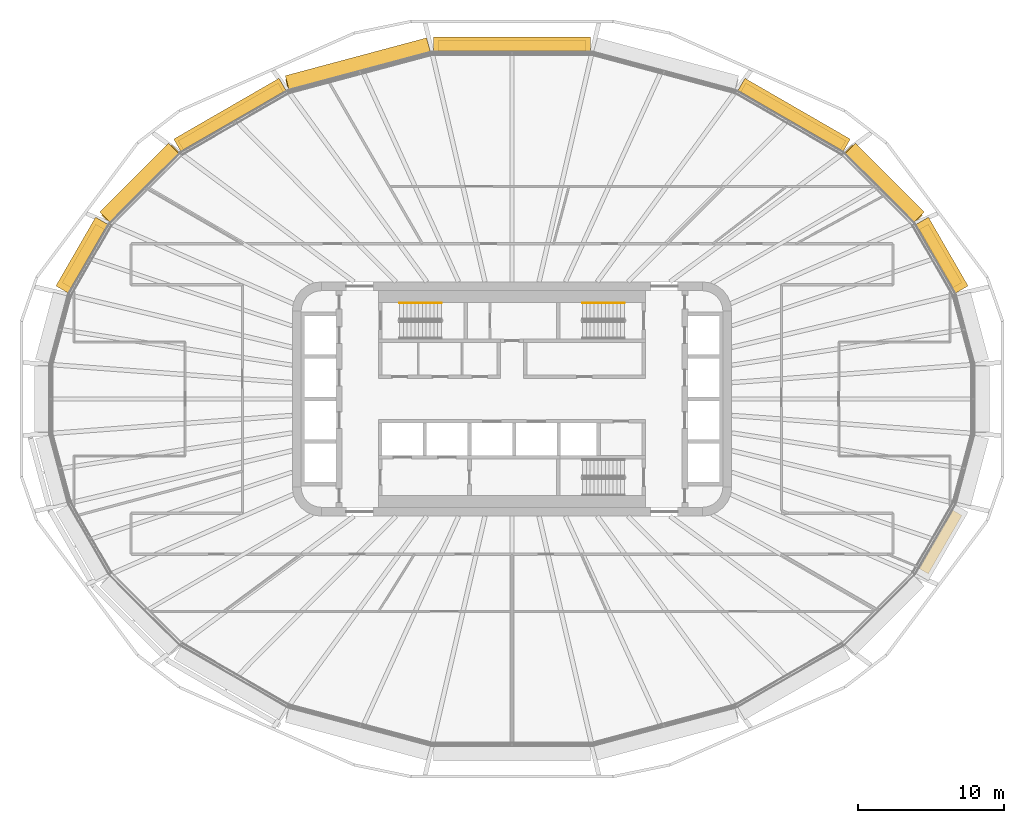
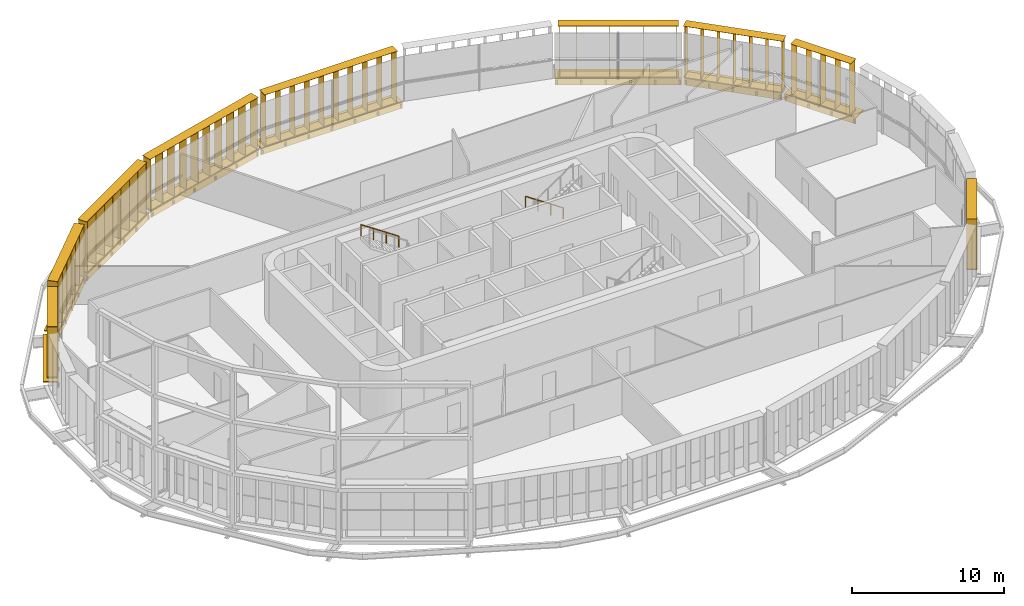
# One storey, part 24 of 25: 17 shading devices, 2 railings.
"""IFC4 building model written with IfcOpenShell, lengths in metres."""

from ifc_helpers import new_model, si_unit, direction, frame, origin, origin_2d, place, context, subcontext, project, spatial, rectangle, circle, extrude, material, type_object, element, save


model = new_model("IFC4")

# Units and contexts
model_context = context("Model", 3, precision=1e-05, world=origin(), true_north=direction((0.0, 1.0)))
body_context = subcontext(model_context, "Body", "Model", "MODEL_VIEW")
ifc_project = project(units=[si_unit("LENGTHUNIT", "METRE"), si_unit("AREAUNIT", "SQUARE_METRE"), si_unit("VOLUMEUNIT", "CUBIC_METRE"), si_unit("PLANEANGLEUNIT", "RADIAN"), si_unit("MASSUNIT", "GRAM", prefix="KILO")], contexts=[model_context])

# Site, building, storey
site_placement = place(None, origin())
site = spatial("IfcSite", under=ifc_project, at=site_placement, CompositionType="ELEMENT")
building_placement = place(site_placement, origin())
building = spatial("IfcBuilding", under=site, at=building_placement, Name="Sahrelin Media Tower", CompositionType="ELEMENT")
storey_placement = place(building_placement, frame((0.0, 0.0, 135.60009765625)))
storey = spatial("IfcBuildingStorey", under=building, at=storey_placement, Name="L27", CompositionType="ELEMENT", Elevation=135.60009765625)

# Shading devices
ifc_material_1 = material(Name="Champagne anodised aluminium 6063-T6", Category="aluminium")
shading_device_type_1 = type_object("IfcShadingDeviceType", Name="Fin cassette", PredefinedType="USERDEFINED", material=ifc_material_1)
placement_1 = place(storey_placement, frame((28.8984375, 9.5546875, 0.0), z_axis=(0.0, 0.0, 1.0), x_axis=(0.500011000363, -0.866019052629, 0.0)))
element("IfcShadingDevice", 1, at=placement_1, inside=storey, type_object=shading_device_type_1, Name="L27:FIN:L27-02", ObjectType="FIN", PredefinedType="USERDEFINED", context=body_context, shape_type="SweptSolid", body=[
    extrude(rectangle(XDim=4.60009765625, YDim=0.699951171875, at=origin_2d()), frame((0.0, 0.419921875, 0.0)), (0.0, 0.0, 1.0), 0.02001953125),
    extrude(rectangle(XDim=4.60009765625, YDim=0.699951171875, at=origin_2d()), frame((0.0, 0.419921875, 4.10009765625)), (0.0, 0.0, 1.0), 0.02001953125),
    extrude(rectangle(XDim=0.02001953125, YDim=0.699951171875, at=origin_2d()), frame((-2.199951171875, 0.419921875, 0.010009765625), z_axis=(0.0, 0.0, 1.0), x_axis=(1.0, 0.0, 0.0)), (0.0, 0.0, 1.0), 4.10009765625),
    extrude(rectangle(XDim=0.02001953125, YDim=0.699951171875, at=origin_2d()), frame((-1.10009765625, 0.419921875, 0.010009765625), z_axis=(0.0, 0.0, 1.0), x_axis=(1.0, 0.0, 0.0)), (0.0, 0.0, 1.0), 4.10009765625),
    extrude(rectangle(XDim=0.02001953125, YDim=0.699951171875, at=origin_2d()), frame((0.0, 0.419921875, 0.010009765625), z_axis=(0.0, 0.0, 1.0), x_axis=(1.0, 0.0, 0.0)), (0.0, 0.0, 1.0), 4.10009765625),
    extrude(rectangle(XDim=0.02001953125, YDim=0.699951171875, at=origin_2d()), frame((1.10009765625, 0.419921875, 0.010009765625), z_axis=(0.0, 0.0, 1.0), x_axis=(1.0, 0.0, 0.0)), (0.0, 0.0, 1.0), 4.10009765625),
    extrude(rectangle(XDim=0.02001953125, YDim=0.699951171875, at=origin_2d()), frame((2.199951171875, 0.419921875, 0.010009765625), z_axis=(0.0, 0.0, 1.0), x_axis=(1.0, 0.0, 0.0)), (0.0, 0.0, 1.0), 4.10009765625),
])
placement_2 = place(storey_placement, frame((25.08349609375, 14.39697265625, 0.0), z_axis=(0.0, 0.0, 1.0), x_axis=(0.707106781187, -0.707106781187, 0.0)))
element("IfcShadingDevice", 2, at=placement_2, inside=storey, type_object=shading_device_type_1, Name="L27:FIN:L27-03", ObjectType="FIN", PredefinedType="USERDEFINED", context=body_context, shape_type="SweptSolid", body=[
    extrude(rectangle(XDim=6.800048828125, YDim=0.699951171875, at=origin_2d()), frame((0.0, 0.419921875, 0.0)), (0.0, 0.0, 1.0), 0.02001953125),
    extrude(rectangle(XDim=6.800048828125, YDim=0.699951171875, at=origin_2d()), frame((0.0, 0.419921875, 4.10009765625)), (0.0, 0.0, 1.0), 0.02001953125),
    extrude(rectangle(XDim=0.02001953125, YDim=0.699951171875, at=origin_2d()), frame((-3.300048828125, 0.419921875, 0.010009765625), z_axis=(0.0, 0.0, 1.0), x_axis=(1.0, 0.0, 0.0)), (0.0, 0.0, 1.0), 4.10009765625),
    extrude(rectangle(XDim=0.02001953125, YDim=0.699951171875, at=origin_2d()), frame((-2.199951171875, 0.419921875, 0.010009765625), z_axis=(0.0, 0.0, 1.0), x_axis=(1.0, 0.0, 0.0)), (0.0, 0.0, 1.0), 4.10009765625),
    extrude(rectangle(XDim=0.02001953125, YDim=0.699951171875, at=origin_2d()), frame((-1.10009765625, 0.419921875, 0.010009765625), z_axis=(0.0, 0.0, 1.0), x_axis=(1.0, 0.0, 0.0)), (0.0, 0.0, 1.0), 4.10009765625),
    extrude(rectangle(XDim=0.02001953125, YDim=0.699951171875, at=origin_2d()), frame((0.0, 0.419921875, 0.010009765625), z_axis=(0.0, 0.0, 1.0), x_axis=(1.0, 0.0, 0.0)), (0.0, 0.0, 1.0), 4.10009765625),
    extrude(rectangle(XDim=0.02001953125, YDim=0.699951171875, at=origin_2d()), frame((1.10009765625, 0.419921875, 0.010009765625), z_axis=(0.0, 0.0, 1.0), x_axis=(1.0, 0.0, 0.0)), (0.0, 0.0, 1.0), 4.10009765625),
    extrude(rectangle(XDim=0.02001953125, YDim=0.699951171875, at=origin_2d()), frame((2.199951171875, 0.419921875, 0.010009765625), z_axis=(0.0, 0.0, 1.0), x_axis=(1.0, 0.0, 0.0)), (0.0, 0.0, 1.0), 4.10009765625),
    extrude(rectangle(XDim=0.02001953125, YDim=0.699951171875, at=origin_2d()), frame((3.300048828125, 0.419921875, 0.010009765625), z_axis=(0.0, 0.0, 1.0), x_axis=(1.0, 0.0, 0.0)), (0.0, 0.0, 1.0), 4.10009765625),
])
placement_3 = place(storey_placement, frame((18.990966796875, 18.93359375, 0.0), z_axis=(0.0, 0.0, 1.0), x_axis=(0.866019052629, -0.500011000363, 0.0)))
element("IfcShadingDevice", 3, at=placement_3, inside=storey, type_object=shading_device_type_1, Name="L27:FIN:L27-04", ObjectType="FIN", PredefinedType="USERDEFINED", context=body_context, shape_type="SweptSolid", body=[
    extrude(rectangle(XDim=7.89990234375, YDim=0.699951171875, at=origin_2d()), frame((0.0, 0.419921875, 0.0)), (0.0, 0.0, 1.0), 0.02001953125),
    extrude(rectangle(XDim=7.89990234375, YDim=0.699951171875, at=origin_2d()), frame((0.0, 0.419921875, 4.10009765625)), (0.0, 0.0, 1.0), 0.02001953125),
    extrude(rectangle(XDim=0.02001953125, YDim=0.699951171875, at=origin_2d()), frame((-3.85009765625, 0.419921875, 0.010009765625), z_axis=(0.0, 0.0, 1.0), x_axis=(1.0, 0.0, 0.0)), (0.0, 0.0, 1.0), 4.10009765625),
    extrude(rectangle(XDim=0.02001953125, YDim=0.699951171875, at=origin_2d()), frame((-2.75, 0.419921875, 0.010009765625), z_axis=(0.0, 0.0, 1.0), x_axis=(1.0, 0.0, 0.0)), (0.0, 0.0, 1.0), 4.10009765625),
    extrude(rectangle(XDim=0.02001953125, YDim=0.699951171875, at=origin_2d()), frame((-1.64990234375, 0.419921875, 0.010009765625), z_axis=(0.0, 0.0, 1.0), x_axis=(1.0, 0.0, 0.0)), (0.0, 0.0, 1.0), 4.10009765625),
    extrude(rectangle(XDim=0.02001953125, YDim=0.699951171875, at=origin_2d()), frame((-0.550048828125, 0.419921875, 0.010009765625), z_axis=(0.0, 0.0, 1.0), x_axis=(1.0, 0.0, 0.0)), (0.0, 0.0, 1.0), 4.10009765625),
    extrude(rectangle(XDim=0.02001953125, YDim=0.699951171875, at=origin_2d()), frame((0.550048828125, 0.419921875, 0.010009765625), z_axis=(0.0, 0.0, 1.0), x_axis=(1.0, 0.0, 0.0)), (0.0, 0.0, 1.0), 4.10009765625),
    extrude(rectangle(XDim=0.02001953125, YDim=0.699951171875, at=origin_2d()), frame((1.64990234375, 0.419921875, 0.010009765625), z_axis=(0.0, 0.0, 1.0), x_axis=(1.0, 0.0, 0.0)), (0.0, 0.0, 1.0), 4.10009765625),
    extrude(rectangle(XDim=0.02001953125, YDim=0.699951171875, at=origin_2d()), frame((2.75, 0.419921875, 0.010009765625), z_axis=(0.0, 0.0, 1.0), x_axis=(1.0, 0.0, 0.0)), (0.0, 0.0, 1.0), 4.10009765625),
    extrude(rectangle(XDim=0.02001953125, YDim=0.699951171875, at=origin_2d()), frame((3.85009765625, 0.419921875, 0.010009765625), z_axis=(0.0, 0.0, 1.0), x_axis=(1.0, 0.0, 0.0)), (0.0, 0.0, 1.0), 4.10009765625),
])
placement_4 = place(storey_placement, frame((0.0, 23.69580078125, 0.0), z_axis=(0.0, 0.0, 1.0), x_axis=(1.0, 0.0, 0.0)))
element("IfcShadingDevice", 4, at=placement_4, inside=storey, type_object=shading_device_type_1, Name="L27:FIN:L27-06", ObjectType="FIN", PredefinedType="USERDEFINED", context=body_context, shape_type="SweptSolid", body=[
    extrude(rectangle(XDim=10.10009765625, YDim=0.699951171875, at=origin_2d()), frame((0.0, 0.419921875, 0.0)), (0.0, 0.0, 1.0), 0.02001953125),
    extrude(rectangle(XDim=10.10009765625, YDim=0.699951171875, at=origin_2d()), frame((0.0, 0.419921875, 4.10009765625)), (0.0, 0.0, 1.0), 0.02001953125),
    extrude(rectangle(XDim=0.02001953125, YDim=0.699951171875, at=origin_2d()), frame((-4.949951171875, 0.419921875, 0.010009765625), z_axis=(0.0, 0.0, 1.0), x_axis=(1.0, 0.0, 0.0)), (0.0, 0.0, 1.0), 4.10009765625),
    extrude(rectangle(XDim=0.02001953125, YDim=0.699951171875, at=origin_2d()), frame((-3.85009765625, 0.419921875, 0.010009765625), z_axis=(0.0, 0.0, 1.0), x_axis=(1.0, 0.0, 0.0)), (0.0, 0.0, 1.0), 4.10009765625),
    extrude(rectangle(XDim=0.02001953125, YDim=0.699951171875, at=origin_2d()), frame((-2.75, 0.419921875, 0.010009765625), z_axis=(0.0, 0.0, 1.0), x_axis=(1.0, 0.0, 0.0)), (0.0, 0.0, 1.0), 4.10009765625),
    extrude(rectangle(XDim=0.02001953125, YDim=0.699951171875, at=origin_2d()), frame((-1.64990234375, 0.419921875, 0.010009765625), z_axis=(0.0, 0.0, 1.0), x_axis=(1.0, 0.0, 0.0)), (0.0, 0.0, 1.0), 4.10009765625),
    extrude(rectangle(XDim=0.02001953125, YDim=0.699951171875, at=origin_2d()), frame((-0.550048828125, 0.419921875, 0.010009765625), z_axis=(0.0, 0.0, 1.0), x_axis=(1.0, 0.0, 0.0)), (0.0, 0.0, 1.0), 4.10009765625),
    extrude(rectangle(XDim=0.02001953125, YDim=0.699951171875, at=origin_2d()), frame((0.550048828125, 0.419921875, 0.010009765625), z_axis=(0.0, 0.0, 1.0), x_axis=(1.0, 0.0, 0.0)), (0.0, 0.0, 1.0), 4.10009765625),
    extrude(rectangle(XDim=0.02001953125, YDim=0.699951171875, at=origin_2d()), frame((1.64990234375, 0.419921875, 0.010009765625), z_axis=(0.0, 0.0, 1.0), x_axis=(1.0, 0.0, 0.0)), (0.0, 0.0, 1.0), 4.10009765625),
    extrude(rectangle(XDim=0.02001953125, YDim=0.699951171875, at=origin_2d()), frame((2.75, 0.419921875, 0.010009765625), z_axis=(0.0, 0.0, 1.0), x_axis=(1.0, 0.0, 0.0)), (0.0, 0.0, 1.0), 4.10009765625),
    extrude(rectangle(XDim=0.02001953125, YDim=0.699951171875, at=origin_2d()), frame((3.85009765625, 0.419921875, 0.010009765625), z_axis=(0.0, 0.0, 1.0), x_axis=(1.0, 0.0, 0.0)), (0.0, 0.0, 1.0), 4.10009765625),
    extrude(rectangle(XDim=0.02001953125, YDim=0.699951171875, at=origin_2d()), frame((4.949951171875, 0.419921875, 0.010009765625), z_axis=(0.0, 0.0, 1.0), x_axis=(1.0, 0.0, 0.0)), (0.0, 0.0, 1.0), 4.10009765625),
])
placement_5 = place(storey_placement, frame((-10.389404296875, 22.377197265625, 0.0), z_axis=(0.0, 0.0, 1.0), x_axis=(0.965928857556, 0.258807731996, 0.0)))
element("IfcShadingDevice", 5, at=placement_5, inside=storey, type_object=shading_device_type_1, Name="L27:FIN:L27-07", ObjectType="FIN", PredefinedType="USERDEFINED", context=body_context, shape_type="SweptSolid", body=[
    extrude(rectangle(XDim=10.10009765625, YDim=0.699951171875, at=origin_2d()), frame((0.0, 0.419921875, 0.0)), (0.0, 0.0, 1.0), 0.02001953125),
    extrude(rectangle(XDim=10.10009765625, YDim=0.699951171875, at=origin_2d()), frame((0.0, 0.419921875, 4.10009765625)), (0.0, 0.0, 1.0), 0.02001953125),
    extrude(rectangle(XDim=0.02001953125, YDim=0.699951171875, at=origin_2d()), frame((-4.949951171875, 0.419921875, 0.010009765625), z_axis=(0.0, 0.0, 1.0), x_axis=(1.0, 0.0, 0.0)), (0.0, 0.0, 1.0), 4.10009765625),
    extrude(rectangle(XDim=0.02001953125, YDim=0.699951171875, at=origin_2d()), frame((-3.85009765625, 0.419921875, 0.010009765625), z_axis=(0.0, 0.0, 1.0), x_axis=(1.0, 0.0, 0.0)), (0.0, 0.0, 1.0), 4.10009765625),
    extrude(rectangle(XDim=0.02001953125, YDim=0.699951171875, at=origin_2d()), frame((-2.75, 0.419921875, 0.010009765625), z_axis=(0.0, 0.0, 1.0), x_axis=(1.0, 0.0, 0.0)), (0.0, 0.0, 1.0), 4.10009765625),
    extrude(rectangle(XDim=0.02001953125, YDim=0.699951171875, at=origin_2d()), frame((-1.64990234375, 0.419921875, 0.010009765625), z_axis=(0.0, 0.0, 1.0), x_axis=(1.0, 0.0, 0.0)), (0.0, 0.0, 1.0), 4.10009765625),
    extrude(rectangle(XDim=0.02001953125, YDim=0.699951171875, at=origin_2d()), frame((-0.550048828125, 0.419921875, 0.010009765625), z_axis=(0.0, 0.0, 1.0), x_axis=(1.0, 0.0, 0.0)), (0.0, 0.0, 1.0), 4.10009765625),
    extrude(rectangle(XDim=0.02001953125, YDim=0.699951171875, at=origin_2d()), frame((0.550048828125, 0.419921875, 0.010009765625), z_axis=(0.0, 0.0, 1.0), x_axis=(1.0, 0.0, 0.0)), (0.0, 0.0, 1.0), 4.10009765625),
    extrude(rectangle(XDim=0.02001953125, YDim=0.699951171875, at=origin_2d()), frame((1.64990234375, 0.419921875, 0.010009765625), z_axis=(0.0, 0.0, 1.0), x_axis=(1.0, 0.0, 0.0)), (0.0, 0.0, 1.0), 4.10009765625),
    extrude(rectangle(XDim=0.02001953125, YDim=0.699951171875, at=origin_2d()), frame((2.75, 0.419921875, 0.010009765625), z_axis=(0.0, 0.0, 1.0), x_axis=(1.0, 0.0, 0.0)), (0.0, 0.0, 1.0), 4.10009765625),
    extrude(rectangle(XDim=0.02001953125, YDim=0.699951171875, at=origin_2d()), frame((3.85009765625, 0.419921875, 0.010009765625), z_axis=(0.0, 0.0, 1.0), x_axis=(1.0, 0.0, 0.0)), (0.0, 0.0, 1.0), 4.10009765625),
    extrude(rectangle(XDim=0.02001953125, YDim=0.699951171875, at=origin_2d()), frame((4.949951171875, 0.419921875, 0.010009765625), z_axis=(0.0, 0.0, 1.0), x_axis=(1.0, 0.0, 0.0)), (0.0, 0.0, 1.0), 4.10009765625),
])
placement_6 = place(storey_placement, frame((-18.990966796875, 18.93359375, 0.0), z_axis=(0.0, 0.0, 1.0), x_axis=(0.866019052629, 0.500011000363, 0.0)))
element("IfcShadingDevice", 6, at=placement_6, inside=storey, type_object=shading_device_type_1, Name="L27:FIN:L27-08", ObjectType="FIN", PredefinedType="USERDEFINED", context=body_context, shape_type="SweptSolid", body=[
    extrude(rectangle(XDim=7.89990234375, YDim=0.699951171875, at=origin_2d()), frame((0.0, 0.419921875, 0.0)), (0.0, 0.0, 1.0), 0.02001953125),
    extrude(rectangle(XDim=7.89990234375, YDim=0.699951171875, at=origin_2d()), frame((0.0, 0.419921875, 4.10009765625)), (0.0, 0.0, 1.0), 0.02001953125),
    extrude(rectangle(XDim=0.02001953125, YDim=0.699951171875, at=origin_2d()), frame((-3.85009765625, 0.419921875, 0.010009765625), z_axis=(0.0, 0.0, 1.0), x_axis=(1.0, 0.0, 0.0)), (0.0, 0.0, 1.0), 4.10009765625),
    extrude(rectangle(XDim=0.02001953125, YDim=0.699951171875, at=origin_2d()), frame((-2.75, 0.419921875, 0.010009765625), z_axis=(0.0, 0.0, 1.0), x_axis=(1.0, 0.0, 0.0)), (0.0, 0.0, 1.0), 4.10009765625),
    extrude(rectangle(XDim=0.02001953125, YDim=0.699951171875, at=origin_2d()), frame((-1.64990234375, 0.419921875, 0.010009765625), z_axis=(0.0, 0.0, 1.0), x_axis=(1.0, 0.0, 0.0)), (0.0, 0.0, 1.0), 4.10009765625),
    extrude(rectangle(XDim=0.02001953125, YDim=0.699951171875, at=origin_2d()), frame((-0.550048828125, 0.419921875, 0.010009765625), z_axis=(0.0, 0.0, 1.0), x_axis=(1.0, 0.0, 0.0)), (0.0, 0.0, 1.0), 4.10009765625),
    extrude(rectangle(XDim=0.02001953125, YDim=0.699951171875, at=origin_2d()), frame((0.550048828125, 0.419921875, 0.010009765625), z_axis=(0.0, 0.0, 1.0), x_axis=(1.0, 0.0, 0.0)), (0.0, 0.0, 1.0), 4.10009765625),
    extrude(rectangle(XDim=0.02001953125, YDim=0.699951171875, at=origin_2d()), frame((1.64990234375, 0.419921875, 0.010009765625), z_axis=(0.0, 0.0, 1.0), x_axis=(1.0, 0.0, 0.0)), (0.0, 0.0, 1.0), 4.10009765625),
    extrude(rectangle(XDim=0.02001953125, YDim=0.699951171875, at=origin_2d()), frame((2.75, 0.419921875, 0.010009765625), z_axis=(0.0, 0.0, 1.0), x_axis=(1.0, 0.0, 0.0)), (0.0, 0.0, 1.0), 4.10009765625),
    extrude(rectangle(XDim=0.02001953125, YDim=0.699951171875, at=origin_2d()), frame((3.85009765625, 0.419921875, 0.010009765625), z_axis=(0.0, 0.0, 1.0), x_axis=(1.0, 0.0, 0.0)), (0.0, 0.0, 1.0), 4.10009765625),
])
placement_7 = place(storey_placement, frame((-25.08349609375, 14.396728515625, 0.0), z_axis=(0.0, 0.0, 1.0), x_axis=(0.707106781187, 0.707106781187, 0.0)))
element("IfcShadingDevice", 7, at=placement_7, inside=storey, type_object=shading_device_type_1, Name="L27:FIN:L27-09", ObjectType="FIN", PredefinedType="USERDEFINED", context=body_context, shape_type="SweptSolid", body=[
    extrude(rectangle(XDim=6.800048828125, YDim=0.699951171875, at=origin_2d()), frame((0.0, 0.419921875, 0.0)), (0.0, 0.0, 1.0), 0.02001953125),
    extrude(rectangle(XDim=6.800048828125, YDim=0.699951171875, at=origin_2d()), frame((0.0, 0.419921875, 4.10009765625)), (0.0, 0.0, 1.0), 0.02001953125),
    extrude(rectangle(XDim=0.02001953125, YDim=0.699951171875, at=origin_2d()), frame((-3.300048828125, 0.419921875, 0.010009765625), z_axis=(0.0, 0.0, 1.0), x_axis=(1.0, 0.0, 0.0)), (0.0, 0.0, 1.0), 4.10009765625),
    extrude(rectangle(XDim=0.02001953125, YDim=0.699951171875, at=origin_2d()), frame((-2.199951171875, 0.419921875, 0.010009765625), z_axis=(0.0, 0.0, 1.0), x_axis=(1.0, 0.0, 0.0)), (0.0, 0.0, 1.0), 4.10009765625),
    extrude(rectangle(XDim=0.02001953125, YDim=0.699951171875, at=origin_2d()), frame((-1.10009765625, 0.419921875, 0.010009765625), z_axis=(0.0, 0.0, 1.0), x_axis=(1.0, 0.0, 0.0)), (0.0, 0.0, 1.0), 4.10009765625),
    extrude(rectangle(XDim=0.02001953125, YDim=0.699951171875, at=origin_2d()), frame((0.0, 0.419921875, 0.010009765625), z_axis=(0.0, 0.0, 1.0), x_axis=(1.0, 0.0, 0.0)), (0.0, 0.0, 1.0), 4.10009765625),
    extrude(rectangle(XDim=0.02001953125, YDim=0.699951171875, at=origin_2d()), frame((1.10009765625, 0.419921875, 0.010009765625), z_axis=(0.0, 0.0, 1.0), x_axis=(1.0, 0.0, 0.0)), (0.0, 0.0, 1.0), 4.10009765625),
    extrude(rectangle(XDim=0.02001953125, YDim=0.699951171875, at=origin_2d()), frame((2.199951171875, 0.419921875, 0.010009765625), z_axis=(0.0, 0.0, 1.0), x_axis=(1.0, 0.0, 0.0)), (0.0, 0.0, 1.0), 4.10009765625),
    extrude(rectangle(XDim=0.02001953125, YDim=0.699951171875, at=origin_2d()), frame((3.300048828125, 0.419921875, 0.010009765625), z_axis=(0.0, 0.0, 1.0), x_axis=(1.0, 0.0, 0.0)), (0.0, 0.0, 1.0), 4.10009765625),
])
placement_8 = place(storey_placement, frame((-28.8984375, 9.5546875, 0.0), z_axis=(0.0, 0.0, 1.0), x_axis=(0.500011000363, 0.866019052629, 0.0)))
element("IfcShadingDevice", 8, at=placement_8, inside=storey, type_object=shading_device_type_1, Name="L27:FIN:L27-10", ObjectType="FIN", PredefinedType="USERDEFINED", context=body_context, shape_type="SweptSolid", body=[
    extrude(rectangle(XDim=4.60009765625, YDim=0.699951171875, at=origin_2d()), frame((0.0, 0.419921875, 0.0)), (0.0, 0.0, 1.0), 0.02001953125),
    extrude(rectangle(XDim=4.60009765625, YDim=0.699951171875, at=origin_2d()), frame((0.0, 0.419921875, 4.10009765625)), (0.0, 0.0, 1.0), 0.02001953125),
    extrude(rectangle(XDim=0.02001953125, YDim=0.699951171875, at=origin_2d()), frame((-2.199951171875, 0.419921875, 0.010009765625), z_axis=(0.0, 0.0, 1.0), x_axis=(1.0, 0.0, 0.0)), (0.0, 0.0, 1.0), 4.10009765625),
    extrude(rectangle(XDim=0.02001953125, YDim=0.699951171875, at=origin_2d()), frame((-1.10009765625, 0.419921875, 0.010009765625), z_axis=(0.0, 0.0, 1.0), x_axis=(1.0, 0.0, 0.0)), (0.0, 0.0, 1.0), 4.10009765625),
    extrude(rectangle(XDim=0.02001953125, YDim=0.699951171875, at=origin_2d()), frame((0.0, 0.419921875, 0.010009765625), z_axis=(0.0, 0.0, 1.0), x_axis=(1.0, 0.0, 0.0)), (0.0, 0.0, 1.0), 4.10009765625),
    extrude(rectangle(XDim=0.02001953125, YDim=0.699951171875, at=origin_2d()), frame((1.10009765625, 0.419921875, 0.010009765625), z_axis=(0.0, 0.0, 1.0), x_axis=(1.0, 0.0, 0.0)), (0.0, 0.0, 1.0), 4.10009765625),
    extrude(rectangle(XDim=0.02001953125, YDim=0.699951171875, at=origin_2d()), frame((2.199951171875, 0.419921875, 0.010009765625), z_axis=(0.0, 0.0, 1.0), x_axis=(1.0, 0.0, 0.0)), (0.0, 0.0, 1.0), 4.10009765625),
])
shading_device_9_placement = place(storey_placement, frame((28.8984375, -9.5546875, 0.0), z_axis=(0.0, 0.0, 1.0), x_axis=(-0.500011000363, -0.866019052629, 0.0)))
element("IfcShadingDevice", 9, at=shading_device_9_placement, inside=storey, type_object=shading_device_type_1, Name="L27:FIN:L27-22", ObjectType="FIN", PredefinedType="USERDEFINED", context=body_context, shape_type="SweptSolid", body=[
    extrude(rectangle(XDim=4.60009765625, YDim=0.699951171875, at=origin_2d()), frame((0.0, 0.419921875, 0.0)), (0.0, 0.0, 1.0), 0.02001953125),
    extrude(rectangle(XDim=4.60009765625, YDim=0.699951171875, at=origin_2d()), frame((0.0, 0.419921875, 4.10009765625)), (0.0, 0.0, 1.0), 0.02001953125),
    extrude(rectangle(XDim=0.02001953125, YDim=0.699951171875, at=origin_2d()), frame((-2.199951171875, 0.419921875, 0.010009765625), z_axis=(0.0, 0.0, 1.0), x_axis=(1.0, 0.0, 0.0)), (0.0, 0.0, 1.0), 4.10009765625),
    extrude(rectangle(XDim=0.02001953125, YDim=0.699951171875, at=origin_2d()), frame((-1.10009765625, 0.419921875, 0.010009765625), z_axis=(0.0, 0.0, 1.0), x_axis=(1.0, 0.0, 0.0)), (0.0, 0.0, 1.0), 4.10009765625),
    extrude(rectangle(XDim=0.02001953125, YDim=0.699951171875, at=origin_2d()), frame((0.0, 0.419921875, 0.010009765625), z_axis=(0.0, 0.0, 1.0), x_axis=(1.0, 0.0, 0.0)), (0.0, 0.0, 1.0), 4.10009765625),
    extrude(rectangle(XDim=0.02001953125, YDim=0.699951171875, at=origin_2d()), frame((1.10009765625, 0.419921875, 0.010009765625), z_axis=(0.0, 0.0, 1.0), x_axis=(1.0, 0.0, 0.0)), (0.0, 0.0, 1.0), 4.10009765625),
    extrude(rectangle(XDim=0.02001953125, YDim=0.699951171875, at=origin_2d()), frame((2.199951171875, 0.419921875, 0.010009765625), z_axis=(0.0, 0.0, 1.0), x_axis=(1.0, 0.0, 0.0)), (0.0, 0.0, 1.0), 4.10009765625),
])

# Railings
ifc_material_2 = material(Name="Steel S355", Category="steel")
railing_type = type_object("IfcRailingType", Name="Stair handrail 900", PredefinedType="HANDRAIL", material=ifc_material_2)
for number, where, name in (
    (10, (-4.81494140625, 6.550048828125, 2.27490234375), "L27 ST1 stair handrail 2"),
    (11, (7.675048828125, 6.550048828125, 0.1748046875), "L27 ST3 stair handrail 1"),
):
    element("IfcRailing", number, at=place(storey_placement, frame(where)), inside=storey, type_object=railing_type, Name=name, PredefinedType="HANDRAIL", context=body_context, shape_type="SweptSolid", body=[
        extrude(circle(Radius=0.02392578125, at=origin_2d()), frame((0.0, 0.0, 0.8759765625), z_axis=(-0.829590901723, 0.0, 0.558371682465), x_axis=(0.0, -1.0, 0.0)), (0.0, 0.0, 1.0), 3.447509765625),
        extrude(circle(Radius=0.02099609375, at=origin_2d()), origin(), (0.0, 0.0, 1.0), 0.851806640625),
        extrude(circle(Radius=0.02099609375, at=origin_2d()), frame((-0.953369140625, 0.0, 0.6416015625)), (0.0, 0.0, 1.0), 0.851806640625),
        extrude(circle(Radius=0.02099609375, at=origin_2d()), frame((-1.90673828125, 0.0, 1.283447265625)), (0.0, 0.0, 1.0), 0.851806640625),
        extrude(circle(Radius=0.02099609375, at=origin_2d()), frame((-2.860107421875, 0.0, 1.925048828125)), (0.0, 0.0, 1.0), 0.851806640625),
    ])

# Shading devices
shading_device_type_2 = type_object("IfcShadingDeviceType", Name="Sunshade band", PredefinedType="USERDEFINED", material=ifc_material_1)
element("IfcShadingDevice", 12, at=placement_1, inside=storey, type_object=shading_device_type_2, Name="L27:SUN:L27-02", ObjectType="SUNSHADE", PredefinedType="USERDEFINED", context=body_context, shape_type="SweptSolid", body=[
    extrude(rectangle(XDim=5.413818359375, YDim=0.050048828125, at=origin_2d()), frame((0.0, 0.044921875, -0.55126953125)), (0.0, 0.0, 1.0), 0.471435546875),
    extrude(rectangle(XDim=5.413818359375, YDim=1.0, at=origin_2d()), frame((0.0, 0.52001953125, -0.080078125)), (0.0, 0.0, 1.0), 0.080078125),
    extrude(rectangle(XDim=0.10009765625, YDim=0.074951171875, at=origin_2d()), frame((-2.606689453125, -0.017578125, -0.47021484375)), (0.0, 0.0, 1.0), 0.300048828125),
    extrude(rectangle(XDim=0.10009765625, YDim=0.074951171875, at=origin_2d()), frame((-0.868896484375, -0.017578125, -0.47021484375)), (0.0, 0.0, 1.0), 0.300048828125),
    extrude(rectangle(XDim=0.10009765625, YDim=0.074951171875, at=origin_2d()), frame((0.868896484375, -0.017578125, -0.47021484375)), (0.0, 0.0, 1.0), 0.300048828125),
    extrude(rectangle(XDim=0.10009765625, YDim=0.074951171875, at=origin_2d()), frame((2.606689453125, -0.017578125, -0.47021484375)), (0.0, 0.0, 1.0), 0.300048828125),
])
element("IfcShadingDevice", 13, at=placement_2, inside=storey, type_object=shading_device_type_2, Name="L27:SUN:L27-03", ObjectType="SUNSHADE", PredefinedType="USERDEFINED", context=body_context, shape_type="SweptSolid", body=[
    extrude(rectangle(XDim=6.62060546875, YDim=0.050048828125, at=origin_2d()), frame((0.0, 0.044921875, -0.55126953125)), (0.0, 0.0, 1.0), 0.471435546875),
    extrude(rectangle(XDim=6.62060546875, YDim=1.0, at=origin_2d()), frame((0.0, 0.52001953125, -0.080078125)), (0.0, 0.0, 1.0), 0.080078125),
    extrude(rectangle(XDim=0.10009765625, YDim=0.074951171875, at=origin_2d()), frame((-3.210205078125, -0.017578125, -0.47021484375)), (0.0, 0.0, 1.0), 0.300048828125),
    extrude(rectangle(XDim=0.10009765625, YDim=0.074951171875, at=origin_2d()), frame((-1.605224609375, -0.017578125, -0.47021484375)), (0.0, 0.0, 1.0), 0.300048828125),
    extrude(rectangle(XDim=0.10009765625, YDim=0.074951171875, at=origin_2d()), frame((0.0, -0.017578125, -0.47021484375)), (0.0, 0.0, 1.0), 0.300048828125),
    extrude(rectangle(XDim=0.10009765625, YDim=0.074951171875, at=origin_2d()), frame((1.605224609375, -0.017578125, -0.47021484375)), (0.0, 0.0, 1.0), 0.300048828125),
    extrude(rectangle(XDim=0.10009765625, YDim=0.074951171875, at=origin_2d()), frame((3.210205078125, -0.017578125, -0.47021484375)), (0.0, 0.0, 1.0), 0.300048828125),
])
element("IfcShadingDevice", 14, at=placement_3, inside=storey, type_object=shading_device_type_2, Name="L27:SUN:L27-04", ObjectType="SUNSHADE", PredefinedType="USERDEFINED", context=body_context, shape_type="SweptSolid", body=[
    extrude(rectangle(XDim=8.30126953125, YDim=0.050048828125, at=origin_2d()), frame((0.0, 0.044921875, -0.55126953125)), (0.0, 0.0, 1.0), 0.471435546875),
    extrude(rectangle(XDim=8.30126953125, YDim=1.0, at=origin_2d()), frame((0.0, 0.52001953125, -0.080078125)), (0.0, 0.0, 1.0), 0.080078125),
    extrude(rectangle(XDim=0.10009765625, YDim=0.074951171875, at=origin_2d()), frame((-4.050537109375, -0.017578125, -0.47021484375)), (0.0, 0.0, 1.0), 0.300048828125),
    extrude(rectangle(XDim=0.10009765625, YDim=0.074951171875, at=origin_2d()), frame((-2.430419921875, -0.017578125, -0.47021484375)), (0.0, 0.0, 1.0), 0.300048828125),
    extrude(rectangle(XDim=0.10009765625, YDim=0.074951171875, at=origin_2d()), frame((-0.81005859375, -0.017578125, -0.47021484375)), (0.0, 0.0, 1.0), 0.300048828125),
    extrude(rectangle(XDim=0.10009765625, YDim=0.074951171875, at=origin_2d()), frame((0.81005859375, -0.017578125, -0.47021484375)), (0.0, 0.0, 1.0), 0.300048828125),
    extrude(rectangle(XDim=0.10009765625, YDim=0.074951171875, at=origin_2d()), frame((2.430419921875, -0.017578125, -0.47021484375)), (0.0, 0.0, 1.0), 0.300048828125),
    extrude(rectangle(XDim=0.10009765625, YDim=0.074951171875, at=origin_2d()), frame((4.050537109375, -0.017578125, -0.47021484375)), (0.0, 0.0, 1.0), 0.300048828125),
])
element("IfcShadingDevice", 15, at=placement_4, inside=storey, type_object=shading_device_type_2, Name="L27:SUN:L27-06", ObjectType="SUNSHADE", PredefinedType="USERDEFINED", context=body_context, shape_type="SweptSolid", body=[
    extrude(rectangle(XDim=10.73828125, YDim=0.050048828125, at=origin_2d()), frame((0.0, 0.044921875, -0.55126953125)), (0.0, 0.0, 1.0), 0.471435546875),
    extrude(rectangle(XDim=10.73828125, YDim=1.0, at=origin_2d()), frame((0.0, 0.52001953125, -0.080078125)), (0.0, 0.0, 1.0), 0.080078125),
    extrude(rectangle(XDim=0.10009765625, YDim=0.074951171875, at=origin_2d()), frame((-5.26904296875, -0.017578125, -0.47021484375)), (0.0, 0.0, 1.0), 0.300048828125),
    extrude(rectangle(XDim=0.10009765625, YDim=0.074951171875, at=origin_2d()), frame((-3.5126953125, -0.017578125, -0.47021484375)), (0.0, 0.0, 1.0), 0.300048828125),
    extrude(rectangle(XDim=0.10009765625, YDim=0.074951171875, at=origin_2d()), frame((-1.75634765625, -0.017578125, -0.47021484375)), (0.0, 0.0, 1.0), 0.300048828125),
    extrude(rectangle(XDim=0.10009765625, YDim=0.074951171875, at=origin_2d()), frame((0.0, -0.017578125, -0.47021484375)), (0.0, 0.0, 1.0), 0.300048828125),
    extrude(rectangle(XDim=0.10009765625, YDim=0.074951171875, at=origin_2d()), frame((1.75634765625, -0.017578125, -0.47021484375)), (0.0, 0.0, 1.0), 0.300048828125),
    extrude(rectangle(XDim=0.10009765625, YDim=0.074951171875, at=origin_2d()), frame((3.5126953125, -0.017578125, -0.47021484375)), (0.0, 0.0, 1.0), 0.300048828125),
    extrude(rectangle(XDim=0.10009765625, YDim=0.074951171875, at=origin_2d()), frame((5.26904296875, -0.017578125, -0.47021484375)), (0.0, 0.0, 1.0), 0.300048828125),
])
element("IfcShadingDevice", 16, at=placement_5, inside=storey, type_object=shading_device_type_2, Name="L27:SUN:L27-07", ObjectType="SUNSHADE", PredefinedType="USERDEFINED", context=body_context, shape_type="SweptSolid", body=[
    extrude(rectangle(XDim=9.98779296875, YDim=0.050048828125, at=origin_2d()), frame((0.0, 0.044921875, -0.55126953125)), (0.0, 0.0, 1.0), 0.471435546875),
    extrude(rectangle(XDim=9.98779296875, YDim=1.0, at=origin_2d()), frame((0.0, 0.52001953125, -0.080078125)), (0.0, 0.0, 1.0), 0.080078125),
    extrude(rectangle(XDim=0.10009765625, YDim=0.074951171875, at=origin_2d()), frame((-4.893798828125, -0.017578125, -0.47021484375)), (0.0, 0.0, 1.0), 0.300048828125),
    extrude(rectangle(XDim=0.10009765625, YDim=0.074951171875, at=origin_2d()), frame((-2.936279296875, -0.017578125, -0.47021484375)), (0.0, 0.0, 1.0), 0.300048828125),
    extrude(rectangle(XDim=0.10009765625, YDim=0.074951171875, at=origin_2d()), frame((-0.978759765625, -0.017578125, -0.47021484375)), (0.0, 0.0, 1.0), 0.300048828125),
    extrude(rectangle(XDim=0.10009765625, YDim=0.074951171875, at=origin_2d()), frame((0.978759765625, -0.017578125, -0.47021484375)), (0.0, 0.0, 1.0), 0.300048828125),
    extrude(rectangle(XDim=0.10009765625, YDim=0.074951171875, at=origin_2d()), frame((2.936279296875, -0.017578125, -0.47021484375)), (0.0, 0.0, 1.0), 0.300048828125),
    extrude(rectangle(XDim=0.10009765625, YDim=0.074951171875, at=origin_2d()), frame((4.893798828125, -0.017578125, -0.47021484375)), (0.0, 0.0, 1.0), 0.300048828125),
])
element("IfcShadingDevice", 17, at=placement_6, inside=storey, type_object=shading_device_type_2, Name="L27:SUN:L27-08", ObjectType="SUNSHADE", PredefinedType="USERDEFINED", context=body_context, shape_type="SweptSolid", body=[
    extrude(rectangle(XDim=8.30126953125, YDim=0.050048828125, at=origin_2d()), frame((0.0, 0.044921875, -0.55126953125)), (0.0, 0.0, 1.0), 0.471435546875),
    extrude(rectangle(XDim=8.30126953125, YDim=1.0, at=origin_2d()), frame((0.0, 0.52001953125, -0.080078125)), (0.0, 0.0, 1.0), 0.080078125),
    extrude(rectangle(XDim=0.10009765625, YDim=0.074951171875, at=origin_2d()), frame((-4.050537109375, -0.017578125, -0.47021484375)), (0.0, 0.0, 1.0), 0.300048828125),
    extrude(rectangle(XDim=0.10009765625, YDim=0.074951171875, at=origin_2d()), frame((-2.430419921875, -0.017578125, -0.47021484375)), (0.0, 0.0, 1.0), 0.300048828125),
    extrude(rectangle(XDim=0.10009765625, YDim=0.074951171875, at=origin_2d()), frame((-0.81005859375, -0.017578125, -0.47021484375)), (0.0, 0.0, 1.0), 0.300048828125),
    extrude(rectangle(XDim=0.10009765625, YDim=0.074951171875, at=origin_2d()), frame((0.81005859375, -0.017578125, -0.47021484375)), (0.0, 0.0, 1.0), 0.300048828125),
    extrude(rectangle(XDim=0.10009765625, YDim=0.074951171875, at=origin_2d()), frame((2.430419921875, -0.017578125, -0.47021484375)), (0.0, 0.0, 1.0), 0.300048828125),
    extrude(rectangle(XDim=0.10009765625, YDim=0.074951171875, at=origin_2d()), frame((4.050537109375, -0.017578125, -0.47021484375)), (0.0, 0.0, 1.0), 0.300048828125),
])
element("IfcShadingDevice", 18, at=placement_7, inside=storey, type_object=shading_device_type_2, Name="L27:SUN:L27-09", ObjectType="SUNSHADE", PredefinedType="USERDEFINED", context=body_context, shape_type="SweptSolid", body=[
    extrude(rectangle(XDim=6.62060546875, YDim=0.050048828125, at=origin_2d()), frame((0.0, 0.044921875, -0.55126953125)), (0.0, 0.0, 1.0), 0.471435546875),
    extrude(rectangle(XDim=6.62060546875, YDim=1.0, at=origin_2d()), frame((0.0, 0.52001953125, -0.080078125)), (0.0, 0.0, 1.0), 0.080078125),
    extrude(rectangle(XDim=0.10009765625, YDim=0.074951171875, at=origin_2d()), frame((-3.210205078125, -0.017578125, -0.47021484375)), (0.0, 0.0, 1.0), 0.300048828125),
    extrude(rectangle(XDim=0.10009765625, YDim=0.074951171875, at=origin_2d()), frame((-1.605224609375, -0.017578125, -0.47021484375)), (0.0, 0.0, 1.0), 0.300048828125),
    extrude(rectangle(XDim=0.10009765625, YDim=0.074951171875, at=origin_2d()), frame((0.0, -0.017578125, -0.47021484375)), (0.0, 0.0, 1.0), 0.300048828125),
    extrude(rectangle(XDim=0.10009765625, YDim=0.074951171875, at=origin_2d()), frame((1.605224609375, -0.017578125, -0.47021484375)), (0.0, 0.0, 1.0), 0.300048828125),
    extrude(rectangle(XDim=0.10009765625, YDim=0.074951171875, at=origin_2d()), frame((3.210205078125, -0.017578125, -0.47021484375)), (0.0, 0.0, 1.0), 0.300048828125),
])
element("IfcShadingDevice", 19, at=placement_8, inside=storey, type_object=shading_device_type_2, Name="L27:SUN:L27-10", ObjectType="SUNSHADE", PredefinedType="USERDEFINED", context=body_context, shape_type="SweptSolid", body=[
    extrude(rectangle(XDim=5.413818359375, YDim=0.050048828125, at=origin_2d()), frame((0.0, 0.044921875, -0.55126953125)), (0.0, 0.0, 1.0), 0.471435546875),
    extrude(rectangle(XDim=5.413818359375, YDim=1.0, at=origin_2d()), frame((0.0, 0.52001953125, -0.080078125)), (0.0, 0.0, 1.0), 0.080078125),
    extrude(rectangle(XDim=0.10009765625, YDim=0.074951171875, at=origin_2d()), frame((-2.606689453125, -0.017578125, -0.47021484375)), (0.0, 0.0, 1.0), 0.300048828125),
    extrude(rectangle(XDim=0.10009765625, YDim=0.074951171875, at=origin_2d()), frame((-0.868896484375, -0.017578125, -0.47021484375)), (0.0, 0.0, 1.0), 0.300048828125),
    extrude(rectangle(XDim=0.10009765625, YDim=0.074951171875, at=origin_2d()), frame((0.868896484375, -0.017578125, -0.47021484375)), (0.0, 0.0, 1.0), 0.300048828125),
    extrude(rectangle(XDim=0.10009765625, YDim=0.074951171875, at=origin_2d()), frame((2.606689453125, -0.017578125, -0.47021484375)), (0.0, 0.0, 1.0), 0.300048828125),
])

save(model, "model.ifc")
